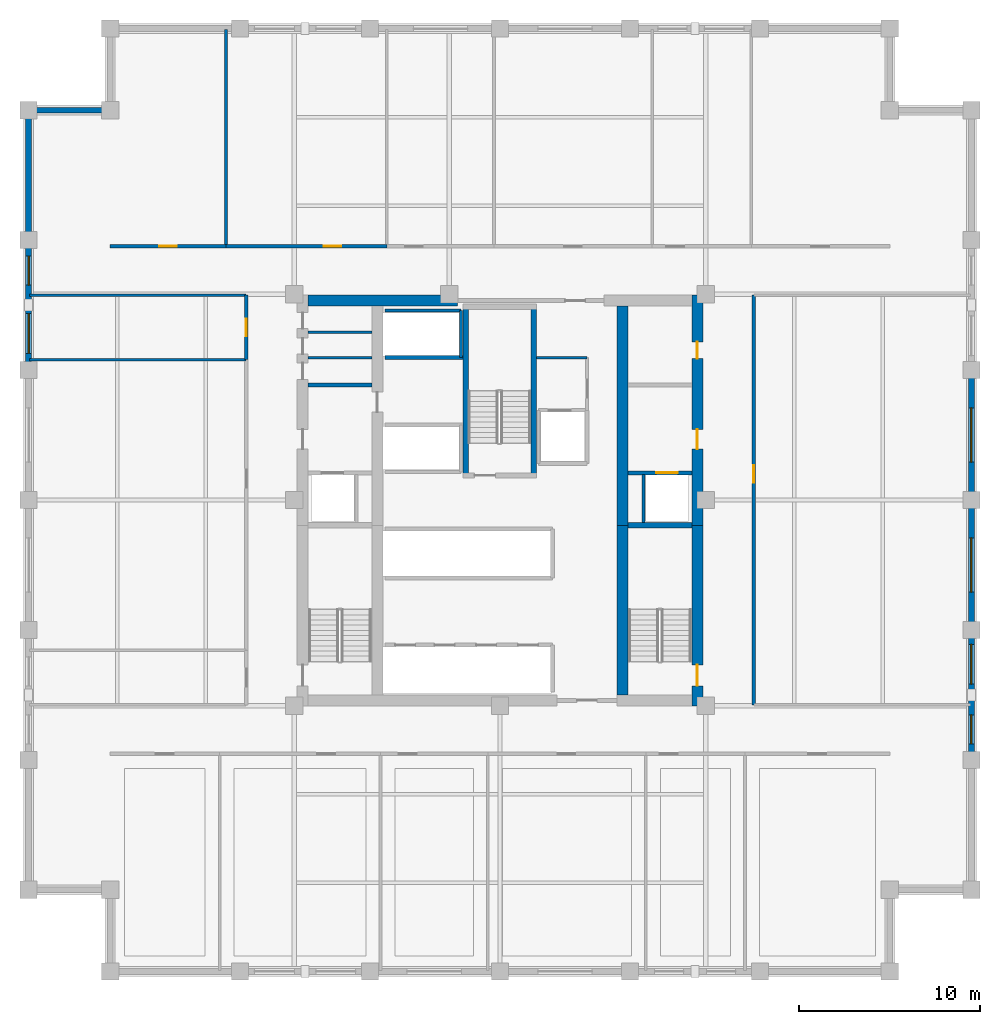
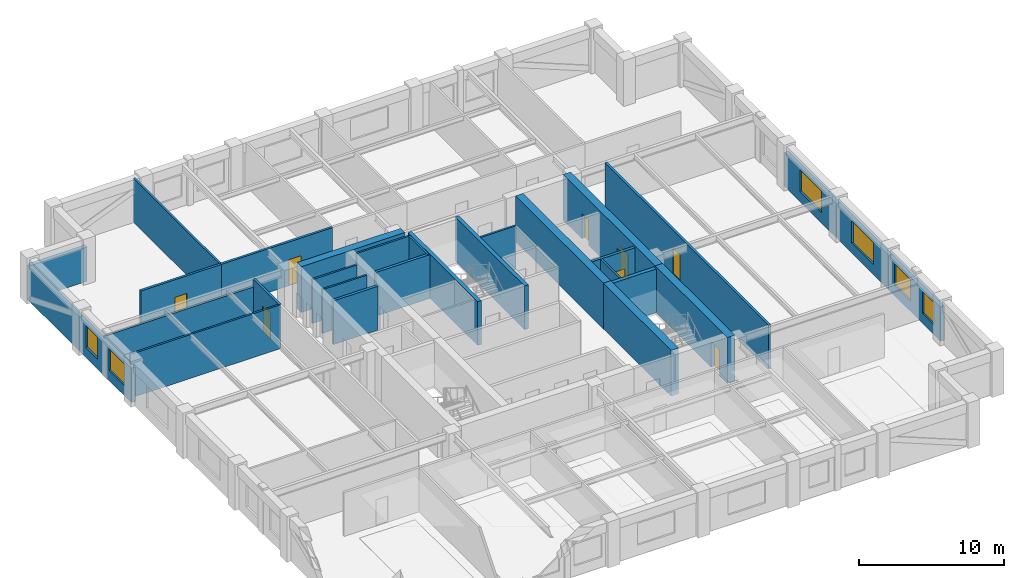
# One storey, part 4 of 9: 30 walls, 8 doors, 6 windows, 14 openings.
"""IFC4 building model written with IfcOpenShell, lengths in metres."""

from ifc_helpers import new_model, si_unit, direction, frame, frame_2d, origin, place, context, subcontext, project, spatial, rectangle, extrude, material, layer, layer_set, type_object, element, fill, save


model = new_model("IFC4")

# Units and contexts
model_context = context("Model", 3, precision=1e-05, world=origin(), true_north=direction((0.0, 1.0)))
body_context = subcontext(model_context, "Body", "Model", "MODEL_VIEW")
ifc_project = project(units=[si_unit("LENGTHUNIT", "METRE"), si_unit("AREAUNIT", "SQUARE_METRE"), si_unit("VOLUMEUNIT", "CUBIC_METRE"), si_unit("PLANEANGLEUNIT", "RADIAN"), si_unit("MASSUNIT", "GRAM", prefix="KILO")], contexts=[model_context])

# Site, building, storey
site_placement = place(None, origin())
site = spatial("IfcSite", under=ifc_project, at=site_placement, CompositionType="ELEMENT")
building_placement = place(site_placement, origin())
building = spatial("IfcBuilding", under=site, at=building_placement, Name="Nhamokura Convention Tower", CompositionType="ELEMENT")
storey_placement = place(building_placement, frame((0.0, 0.0, 122.14990234375)))
storey = spatial("IfcBuildingStorey", under=building, at=storey_placement, Name="L29", CompositionType="ELEMENT", Elevation=122.14990234375)

# Wall
ifc_material_1 = material(Name="Moisture-resistant tile-backer partition", Category="masonry")
ifc_layer_1 = layer(ifc_material_1, 0.139892578125)
ifc_layer_set_1 = layer_set([ifc_layer_1], Name="BathroomWetWall_140")
wall_type_1 = type_object("IfcWallType", Name="BathroomWetWall_140", PredefinedType="STANDARD", material=ifc_layer_set_1)
wall_1_placement = place(storey_placement, frame((21.409912109375, 39.85009765625, 0.0), z_axis=(0.0, 0.0, 1.0), x_axis=(1.0, 0.0, 0.0)))
element("IfcWall", 1, at=wall_1_placement, inside=storey, type_object=wall_type_1, Name="L29 Wall INT-L29-CWNW1", PredefinedType="STANDARD", context=body_context, shape_type="SweptSolid", body=[
    extrude(rectangle(XDim=3.530029296875, YDim=0.139892578125, at=frame_2d((1.76513671875, 0.0))), origin(), (0.0, 0.0, 1.0), 3.68505859375),
])

# Wall, openings, windows
ifc_material_2 = material(Name="Bronze-pigmented precast concrete C45/55", Category="concrete")
ifc_layer_2 = layer(ifc_material_2, 0.320068359375)
ifc_layer_set_2 = layer_set([ifc_layer_2], Name="BronzePrecastSpandrel_320")
wall_type_2 = type_object("IfcWallType", Name="BronzePrecastSpandrel_320", PredefinedType="USERDEFINED", material=ifc_layer_set_2)
wall_2_placement = place(storey_placement, frame((6.0, 39.166748046875, 0.0), z_axis=(0.0, 0.0, 1.0), x_axis=(0.0, 1.0, 0.0)))
wall_2 = element("IfcWall", 2, at=wall_2_placement, inside=storey, type_object=wall_type_2, Name="L29 Masonry-Frame Wall WEST 4", ObjectType="SPANDREL_WALL", PredefinedType="USERDEFINED", context=body_context, shape_type="SweptSolid", body=[
    extrude(rectangle(XDim=7.16650390625, YDim=0.320068359375, at=frame_2d((3.583251953125, 0.0))), origin(), (0.0, 0.0, 1.0), 2.885009765625),
])
opening_1_placement = place(wall_2_placement, frame((0.916748046875, 0.0, 0.85009765625)))
opening_1 = element("IfcOpeningElement", 3, at=opening_1_placement, cuts=wall_2, Name="Opening W-06", PredefinedType="OPENING", context=body_context, shape_type="SweptSolid", body=[
    extrude(rectangle(XDim=2.199951171875, YDim=1.8349609375, at=frame_2d((1.10009765625, 0.91748046875))), frame((0.0, 0.169921875, 0.0), z_axis=(0.0, -1.0, 0.0), x_axis=(1.0, 0.0, 0.0)), (0.0, 0.0, 1.0), 0.340087890625),
])
opening_2_placement = place(wall_2_placement, frame((4.6875, 0.0, 0.85009765625)))
opening_2 = element("IfcOpeningElement", 4, at=opening_2_placement, cuts=wall_2, Name="Opening W-11", PredefinedType="OPENING", context=body_context, shape_type="SweptSolid", body=[
    extrude(rectangle(XDim=1.60009765625, YDim=1.8349609375, at=frame_2d((0.800048828125, 0.91748046875))), frame((0.0, 0.169921875, 0.0), z_axis=(0.0, -1.0, 0.0), x_axis=(1.0, 0.0, 0.0)), (0.0, 0.0, 1.0), 0.340087890625),
])
ifc_material_3 = material(Name="Solar-control bronze low-E double glass", Category="glass")
window_type_1 = type_object("IfcWindowType", Name="NotchCornerWindow_1600", PartitioningType="SINGLE_PANEL", PredefinedType="WINDOW", material=ifc_material_3)
window_1_placement = place(opening_2_placement, origin())
window_1 = element("IfcWindow", 5, at=window_1_placement, inside=storey, type_object=window_type_1, Name="L29 Facade Window WEST 4-2", OverallHeight=1.8349609375, OverallWidth=1.60009765625, PartitioningType="SINGLE_PANEL", PredefinedType="WINDOW", context=body_context, shape_type="SweptSolid", body=[
    extrude(rectangle(XDim=1.60009765625, YDim=1.8349609375, at=frame_2d((0.800048828125, 0.91748046875))), frame((0.0, 0.030029296875, 0.0), z_axis=(0.0, -1.0, 0.0), x_axis=(1.0, 0.0, 0.0)), (0.0, 0.0, 1.0), 0.06005859375),
])
fill(opening_2, window_1)
ifc_material_4 = material(Name="Solar-control bronze low-E double glass", Category="glass")
window_type_2 = type_object("IfcWindowType", Name="OfficeModuleWindow_Z2_2200", PartitioningType="SINGLE_PANEL", PredefinedType="WINDOW", material=ifc_material_4)
window_2_placement = place(opening_1_placement, origin())
window_2 = element("IfcWindow", 6, at=window_2_placement, inside=storey, type_object=window_type_2, Name="L29 Facade Window WEST 4-1", OverallHeight=1.8349609375, OverallWidth=2.199951171875, PartitioningType="SINGLE_PANEL", PredefinedType="WINDOW", context=body_context, shape_type="SweptSolid", body=[
    extrude(rectangle(XDim=2.199951171875, YDim=1.8349609375, at=frame_2d((1.10009765625, 0.91748046875))), frame((0.0, 0.030029296875, 0.0), z_axis=(0.0, -1.0, 0.0), x_axis=(1.0, 0.0, 0.0)), (0.0, 0.0, 1.0), 0.06005859375),
])
fill(opening_1, window_2)

# Wall
wall_3_placement = place(storey_placement, frame((6.0, 46.333251953125, 0.0), z_axis=(0.0, 0.0, 1.0), x_axis=(0.0, 1.0, 0.0)))
element("IfcWall", 7, at=wall_3_placement, inside=storey, type_object=wall_type_2, Name="L29 Braced-Bay Precast Wall WEST 5", ObjectType="SPANDREL_WALL", PredefinedType="USERDEFINED", context=body_context, shape_type="SweptSolid", body=[
    extrude(rectangle(XDim=7.166748046875, YDim=0.320068359375, at=frame_2d((3.58349609375, 0.0))), origin(), (0.0, 0.0, 1.0), 2.885009765625),
])

# Wall, openings, windows
wall_4_placement = place(storey_placement, frame((58.0, 24.833251953125, 0.0), z_axis=(0.0, 0.0, 1.0), x_axis=(0.0, -1.0, 0.0)))
wall_4 = element("IfcWall", 8, at=wall_4_placement, inside=storey, type_object=wall_type_2, Name="L29 Masonry-Frame Wall EAST 1", ObjectType="SPANDREL_WALL", PredefinedType="USERDEFINED", context=body_context, shape_type="SweptSolid", body=[
    extrude(rectangle(XDim=7.16650390625, YDim=0.320068359375, at=frame_2d((3.583251953125, 0.0))), origin(), (0.0, 0.0, 1.0), 2.885009765625),
])
opening_3_placement = place(wall_4_placement, frame((0.791748046875, 0.0, 0.85009765625)))
opening_3 = element("IfcOpeningElement", 9, at=opening_3_placement, cuts=wall_4, Name="Opening W-06", PredefinedType="OPENING", context=body_context, shape_type="SweptSolid", body=[
    extrude(rectangle(XDim=2.199951171875, YDim=1.8349609375, at=frame_2d((1.10009765625, 0.91748046875))), frame((0.0, 0.169921875, 0.0), z_axis=(0.0, -1.0, 0.0), x_axis=(1.0, 0.0, 0.0)), (0.0, 0.0, 1.0), 0.340087890625),
])
opening_4_placement = place(wall_4_placement, frame((4.6875, 0.0, 0.85009765625)))
opening_4 = element("IfcOpeningElement", 10, at=opening_4_placement, cuts=wall_4, Name="Opening W-11", PredefinedType="OPENING", context=body_context, shape_type="SweptSolid", body=[
    extrude(rectangle(XDim=1.60009765625, YDim=1.8349609375, at=frame_2d((0.800048828125, 0.91748046875))), frame((0.0, 0.169921875, 0.0), z_axis=(0.0, -1.0, 0.0), x_axis=(1.0, 0.0, 0.0)), (0.0, 0.0, 1.0), 0.340087890625),
])
window_3_placement = place(opening_4_placement, origin())
window_3 = element("IfcWindow", 11, at=window_3_placement, inside=storey, type_object=window_type_1, Name="L29 Facade Window EAST 1-2", OverallHeight=1.8349609375, OverallWidth=1.60009765625, PartitioningType="SINGLE_PANEL", PredefinedType="WINDOW", context=body_context, shape_type="SweptSolid", body=[
    extrude(rectangle(XDim=1.60009765625, YDim=1.8349609375, at=frame_2d((0.800048828125, 0.91748046875))), frame((0.0, 0.030029296875, 0.0), z_axis=(0.0, -1.0, 0.0), x_axis=(1.0, 0.0, 0.0)), (0.0, 0.0, 1.0), 0.06005859375),
])
fill(opening_4, window_3)
window_4_placement = place(opening_3_placement, origin())
window_4 = element("IfcWindow", 12, at=window_4_placement, inside=storey, type_object=window_type_2, Name="L29 Facade Window EAST 1-1", OverallHeight=1.8349609375, OverallWidth=2.199951171875, PartitioningType="SINGLE_PANEL", PredefinedType="WINDOW", context=body_context, shape_type="SweptSolid", body=[
    extrude(rectangle(XDim=2.199951171875, YDim=1.8349609375, at=frame_2d((1.10009765625, 0.91748046875))), frame((0.0, 0.030029296875, 0.0), z_axis=(0.0, -1.0, 0.0), x_axis=(1.0, 0.0, 0.0)), (0.0, 0.0, 1.0), 0.06005859375),
])
fill(opening_3, window_4)

# Wall, opening, window
wall_5_placement = place(storey_placement, frame((58.0, 32.0, 0.0), z_axis=(0.0, 0.0, 1.0), x_axis=(0.0, -1.0, 0.0)))
wall_5 = element("IfcWall", 13, at=wall_5_placement, inside=storey, type_object=wall_type_2, Name="L29 Masonry-Frame Wall EAST 2", ObjectType="SPANDREL_WALL", PredefinedType="USERDEFINED", context=body_context, shape_type="SweptSolid", body=[
    extrude(rectangle(XDim=7.166748046875, YDim=0.320068359375, at=frame_2d((3.58349609375, 0.0))), origin(), (0.0, 0.0, 1.0), 2.885009765625),
])
opening_5_placement = place(wall_5_placement, frame((2.083251953125, 0.0, 0.85009765625)))
opening_5 = element("IfcOpeningElement", 14, at=opening_5_placement, cuts=wall_5, Name="Opening W-05", PredefinedType="OPENING", context=body_context, shape_type="SweptSolid", body=[
    extrude(rectangle(XDim=3.0, YDim=1.8349609375, at=frame_2d((1.5, 0.91748046875))), frame((0.0, 0.169921875, 0.0), z_axis=(0.0, -1.0, 0.0), x_axis=(1.0, 0.0, 0.0)), (0.0, 0.0, 1.0), 0.340087890625),
])
ifc_material_5 = material(Name="Solar-control bronze low-E double glass", Category="glass")
window_type_3 = type_object("IfcWindowType", Name="OfficeModuleWindow_Z2_3000", PartitioningType="DOUBLE_PANEL_VERTICAL", PredefinedType="WINDOW", material=ifc_material_5)
window_5_placement = place(opening_5_placement, origin())
window_5 = element("IfcWindow", 15, at=window_5_placement, inside=storey, type_object=window_type_3, Name="L29 Facade Window EAST 2", OverallHeight=1.8349609375, OverallWidth=3.0, PartitioningType="SINGLE_PANEL", PredefinedType="WINDOW", context=body_context, shape_type="SweptSolid", body=[
    extrude(rectangle(XDim=3.0, YDim=1.8349609375, at=frame_2d((1.5, 0.91748046875))), frame((0.0, 0.030029296875, 0.0), z_axis=(0.0, -1.0, 0.0), x_axis=(1.0, 0.0, 0.0)), (0.0, 0.0, 1.0), 0.06005859375),
])
fill(opening_5, window_5)

wall_6_placement = place(storey_placement, frame((58.0, 39.166748046875, 0.0), z_axis=(0.0, 0.0, 1.0), x_axis=(0.0, -1.0, 0.0)))
wall_6 = element("IfcWall", 16, at=wall_6_placement, inside=storey, type_object=wall_type_2, Name="L29 Masonry-Frame Wall EAST 3", ObjectType="SPANDREL_WALL", PredefinedType="USERDEFINED", context=body_context, shape_type="SweptSolid", body=[
    extrude(rectangle(XDim=7.166748046875, YDim=0.320068359375, at=frame_2d((3.58349609375, 0.0))), origin(), (0.0, 0.0, 1.0), 2.885009765625),
])
opening_6_placement = place(wall_6_placement, frame((2.083251953125, 0.0, 0.85009765625)))
opening_6 = element("IfcOpeningElement", 17, at=opening_6_placement, cuts=wall_6, Name="Opening W-05", PredefinedType="OPENING", context=body_context, shape_type="SweptSolid", body=[
    extrude(rectangle(XDim=3.0, YDim=1.8349609375, at=frame_2d((1.5, 0.91748046875))), frame((0.0, 0.169921875, 0.0), z_axis=(0.0, -1.0, 0.0), x_axis=(1.0, 0.0, 0.0)), (0.0, 0.0, 1.0), 0.340087890625),
])
window_6_placement = place(opening_6_placement, origin())
window_6 = element("IfcWindow", 18, at=window_6_placement, inside=storey, type_object=window_type_3, Name="L29 Facade Window EAST 3", OverallHeight=1.8349609375, OverallWidth=3.0, PartitioningType="SINGLE_PANEL", PredefinedType="WINDOW", context=body_context, shape_type="SweptSolid", body=[
    extrude(rectangle(XDim=3.0, YDim=1.8349609375, at=frame_2d((1.5, 0.91748046875))), frame((0.0, 0.030029296875, 0.0), z_axis=(0.0, -1.0, 0.0), x_axis=(1.0, 0.0, 0.0)), (0.0, 0.0, 1.0), 0.06005859375),
])
fill(opening_6, window_6)

# Wall
wall_7_placement = place(storey_placement, frame((6.0, 53.5, 0.0), z_axis=(0.0, 0.0, 1.0), x_axis=(1.0, 0.0, 0.0)))
element("IfcWall", 19, at=wall_7_placement, inside=storey, type_object=wall_type_2, Name="L29 Notched Corner Wall NW2", ObjectType="SPANDREL_WALL", PredefinedType="USERDEFINED", context=body_context, shape_type="SweptSolid", body=[
    extrude(rectangle(XDim=4.5, YDim=0.320068359375, at=frame_2d((2.25, 0.0))), origin(), (0.0, 0.0, 1.0), 2.885009765625),
])

# Wall, opening, door
ifc_material_6 = material(Name="Concrete C60/75", Category="concrete")
ifc_layer_3 = layer(ifc_material_6, 0.60009765625)
ifc_layer_set_3 = layer_set([ifc_layer_3], Name="CoreShearWall_600")
wall_type_3 = type_object("IfcWallType", Name="CoreShearWall_600", PredefinedType="SHEAR", material=ifc_layer_set_3)
wall_8_placement = place(storey_placement, frame((42.889892578125, 20.64990234375, 0.0), z_axis=(0.0, 0.0, 1.0), x_axis=(0.0, 1.0, 0.0)))
wall_8 = element("IfcWall", 20, at=wall_8_placement, inside=storey, type_object=wall_type_3, Name="L29 Core Shear Wall CW-ES", PredefinedType="SHEAR", context=body_context, shape_type="SweptSolid", body=[
    extrude(rectangle(XDim=9.9501953125, YDim=0.60009765625, at=frame_2d((4.97509765625, 0.0))), origin(), (0.0, 0.0, 1.0), 3.85009765625),
])
opening_7_placement = place(wall_8_placement, frame((1.10009765625, 0.0, 0.0)))
opening_7 = element("IfcOpeningElement", 21, at=opening_7_placement, cuts=wall_8, Name="Opening D-04", PredefinedType="OPENING", context=body_context, shape_type="SweptSolid", body=[
    extrude(rectangle(XDim=1.14990234375, YDim=2.14990234375, at=frame_2d((0.574951171875, 1.074951171875))), frame((0.0, 0.31005859375, 0.0), z_axis=(0.0, -1.0, 0.0), x_axis=(1.0, 0.0, 0.0)), (0.0, 0.0, 1.0), 0.6201171875),
])
ifc_material_7 = material(Name="Fire-rated steel door", Category="steel")
door_type_1 = type_object("IfcDoorType", Name="StairSmokeDoor_1150", OperationType="NOTDEFINED", PredefinedType="DOOR", material=ifc_material_7)
door_1_placement = place(opening_7_placement, origin())
door_1 = element("IfcDoor", 22, at=door_1_placement, inside=storey, type_object=door_type_1, Name="L29 Core Door INT-L29-D-ST02", OperationType="SINGLE_SWING_RIGHT", OverallHeight=2.14990234375, OverallWidth=1.14990234375, PredefinedType="DOOR", context=body_context, shape_type="SweptSolid", body=[
    extrude(rectangle(XDim=1.14990234375, YDim=2.14990234375, at=frame_2d((0.574951171875, 1.074951171875))), frame((0.0, 0.02490234375, 0.0), z_axis=(0.0, -1.0, 0.0), x_axis=(1.0, 0.0, 0.0)), (0.0, 0.0, 1.0), 0.050048828125),
])
fill(opening_7, door_1)

# Wall, openings, doors
wall_9_placement = place(storey_placement, frame((42.889892578125, 30.60009765625, 0.0), z_axis=(0.0, 0.0, 1.0), x_axis=(0.0, 1.0, 0.0)))
wall_9 = element("IfcWall", 23, at=wall_9_placement, inside=storey, type_object=wall_type_3, Name="L29 Core Shear Wall CW-EN", PredefinedType="SHEAR", context=body_context, shape_type="SweptSolid", body=[
    extrude(rectangle(XDim=12.699951171875, YDim=0.60009765625, at=frame_2d((6.35009765625, 0.0))), origin(), (0.0, 0.0, 1.0), 3.85009765625),
])
opening_8_placement = place(wall_9_placement, frame((4.199951171875, 0.0, 0.0)))
opening_8 = element("IfcOpeningElement", 24, at=opening_8_placement, cuts=wall_9, Name="Opening D-05", PredefinedType="OPENING", context=body_context, shape_type="SweptSolid", body=[
    extrude(rectangle(XDim=1.10009765625, YDim=2.14990234375, at=frame_2d((0.550048828125, 1.074951171875))), frame((0.0, 0.31005859375, 0.0), z_axis=(0.0, -1.0, 0.0), x_axis=(1.0, 0.0, 0.0)), (0.0, 0.0, 1.0), 0.6201171875),
])
opening_9_placement = place(wall_9_placement, frame((9.199951171875, 0.0, 0.0)))
opening_9 = element("IfcOpeningElement", 25, at=opening_9_placement, cuts=wall_9, Name="Opening D-10", PredefinedType="OPENING", context=body_context, shape_type="SweptSolid", body=[
    extrude(rectangle(XDim=0.919921875, YDim=2.10009765625, at=frame_2d((0.4599609375, 1.050048828125))), frame((0.0, 0.31005859375, 0.0), z_axis=(0.0, -1.0, 0.0), x_axis=(1.0, 0.0, 0.0)), (0.0, 0.0, 1.0), 0.6201171875),
])
ifc_material_8 = material(Name="Solid oak hardwood", Category="wood")
door_type_2 = type_object("IfcDoorType", Name="AccessibleWCDoor_920", OperationType="NOTDEFINED", PredefinedType="DOOR", material=ifc_material_8)
door_2_placement = place(opening_9_placement, origin())
door_2 = element("IfcDoor", 26, at=door_2_placement, inside=storey, type_object=door_type_2, Name="L29 Core Door INT-L29-D-UWC", OperationType="SINGLE_SWING_RIGHT", OverallHeight=2.10009765625, OverallWidth=0.919921875, PredefinedType="DOOR", context=body_context, shape_type="SweptSolid", body=[
    extrude(rectangle(XDim=0.919921875, YDim=2.10009765625, at=frame_2d((0.4599609375, 1.050048828125))), frame((0.0, 0.02490234375, 0.0), z_axis=(0.0, -1.0, 0.0), x_axis=(1.0, 0.0, 0.0)), (0.0, 0.0, 1.0), 0.050048828125),
])
fill(opening_9, door_2)
ifc_material_9 = material(Name="Fire-rated steel door", Category="steel")
door_type_3 = type_object("IfcDoorType", Name="FireLobbyDoor_1100", OperationType="NOTDEFINED", PredefinedType="DOOR", material=ifc_material_9)
door_3_placement = place(opening_8_placement, origin())
door_3 = element("IfcDoor", 27, at=door_3_placement, inside=storey, type_object=door_type_3, Name="L29 Core Door INT-L29-D-FFLE", OperationType="SINGLE_SWING_LEFT", OverallHeight=2.14990234375, OverallWidth=1.10009765625, PredefinedType="DOOR", context=body_context, shape_type="SweptSolid", body=[
    extrude(rectangle(XDim=1.10009765625, YDim=2.14990234375, at=frame_2d((0.550048828125, 1.074951171875))), frame((0.0, 0.02490234375, 0.0), z_axis=(0.0, -1.0, 0.0), x_axis=(1.0, 0.0, 0.0)), (0.0, 0.0, 1.0), 0.050048828125),
])
fill(opening_8, door_3)

# Walls
wall_10_placement = place(storey_placement, frame((21.409912109375, 43.0, 0.0), z_axis=(0.0, 0.0, 1.0), x_axis=(1.0, 0.0, 0.0)))
element("IfcWall", 28, at=wall_10_placement, inside=storey, type_object=wall_type_3, Name="L29 Core Shear Wall CW-N1", PredefinedType="SHEAR", context=body_context, shape_type="SweptSolid", body=[
    extrude(rectangle(XDim=8.239990234375, YDim=0.60009765625, at=frame_2d((4.1201171875, 0.0))), origin(), (0.0, 0.0, 1.0), 3.85009765625),
])
wall_11_placement = place(storey_placement, frame((38.760009765625, 21.25, 0.0), z_axis=(0.0, 0.0, 1.0), x_axis=(0.0, 1.0, 0.0)))
element("IfcWall", 29, at=wall_11_placement, inside=storey, type_object=wall_type_3, Name="L29 Core Shear Wall CW-IES", PredefinedType="SHEAR", context=body_context, shape_type="SweptSolid", body=[
    extrude(rectangle(XDim=9.35009765625, YDim=0.60009765625, at=frame_2d((4.675048828125, 0.0))), origin(), (0.0, 0.0, 1.0), 3.85009765625),
])
wall_12_placement = place(storey_placement, frame((38.760009765625, 30.60009765625, 0.0), z_axis=(0.0, 0.0, 1.0), x_axis=(0.0, 1.0, 0.0)))
element("IfcWall", 30, at=wall_12_placement, inside=storey, type_object=wall_type_3, Name="L29 Core Shear Wall CW-IEN", PredefinedType="SHEAR", context=body_context, shape_type="SweptSolid", body=[
    extrude(rectangle(XDim=12.099853515625, YDim=0.60009765625, at=frame_2d((6.0498046875, 0.0))), origin(), (0.0, 0.0, 1.0), 3.85009765625),
])

# Wall, opening, door
ifc_material_10 = material(Name="Fire-rated gypsum and masonry partition", Category="masonry")
ifc_layer_4 = layer(ifc_material_10, 0.179931640625)
ifc_layer_set_4 = layer_set([ifc_layer_4], Name="CorridorRatedWall_180")
wall_type_4 = type_object("IfcWallType", Name="CorridorRatedWall_180", PredefinedType="STANDARD", material=ifc_layer_set_4)
wall_13_placement = place(storey_placement, frame((10.5, 46.0, 0.0), z_axis=(0.0, 0.0, 1.0), x_axis=(1.0, 0.0, 0.0)))
wall_13 = element("IfcWall", 31, at=wall_13_placement, inside=storey, type_object=wall_type_4, Name="L29 Wall INT-L29-CW-N00", PredefinedType="STANDARD", context=body_context, shape_type="SweptSolid", body=[
    extrude(rectangle(XDim=6.3916015625, YDim=0.179931640625, at=frame_2d((3.19580078125, 0.0))), origin(), (0.0, 0.0, 1.0), 3.68505859375),
])
opening_10_placement = place(wall_13_placement, frame((2.69580078125, 0.0, 0.0)))
opening_10 = element("IfcOpeningElement", 32, at=opening_10_placement, cuts=wall_13, Name="Opening D-08", PredefinedType="OPENING", context=body_context, shape_type="SweptSolid", body=[
    extrude(rectangle(XDim=0.97998046875, YDim=2.199951171875, at=frame_2d((0.489990234375, 1.10009765625))), frame((0.0, 0.099853515625, 0.0), z_axis=(0.0, -1.0, 0.0), x_axis=(1.0, 0.0, 0.0)), (0.0, 0.0, 1.0), 0.199951171875),
])
ifc_material_11 = material(Name="Solid oak hardwood", Category="wood")
door_type_4 = type_object("IfcDoorType", Name="OfficeEntryDoor_980", OperationType="NOTDEFINED", PredefinedType="DOOR", material=ifc_material_11)
door_4_placement = place(opening_10_placement, origin())
door_4 = element("IfcDoor", 33, at=door_4_placement, inside=storey, type_object=door_type_4, Name="L29 Training Classroom N01 Door", OperationType="SINGLE_SWING_LEFT", OverallHeight=2.199951171875, OverallWidth=0.97998046875, PredefinedType="DOOR", context=body_context, shape_type="SweptSolid", body=[
    extrude(rectangle(XDim=0.97998046875, YDim=2.199951171875, at=frame_2d((0.489990234375, 1.10009765625))), frame((0.0, 0.02490234375, 0.0), z_axis=(0.0, -1.0, 0.0), x_axis=(1.0, 0.0, 0.0)), (0.0, 0.0, 1.0), 0.050048828125),
])
fill(opening_10, door_4)

wall_14_placement = place(storey_placement, frame((16.8916015625, 46.0, 0.0), z_axis=(0.0, 0.0, 1.0), x_axis=(1.0, 0.0, 0.0)))
wall_14 = element("IfcWall", 34, at=wall_14_placement, inside=storey, type_object=wall_type_4, Name="L29 Wall INT-L29-CW-N01", PredefinedType="STANDARD", context=body_context, shape_type="SweptSolid", body=[
    extrude(rectangle(XDim=8.86669921875, YDim=0.179931640625, at=frame_2d((4.433349609375, 0.0))), origin(), (0.0, 0.0, 1.0), 3.68505859375),
])
opening_11_placement = place(wall_14_placement, frame((5.38330078125, 0.0, 0.0)))
opening_11 = element("IfcOpeningElement", 35, at=opening_11_placement, cuts=wall_14, Name="Opening D-08", PredefinedType="OPENING", context=body_context, shape_type="SweptSolid", body=[
    extrude(rectangle(XDim=0.97998046875, YDim=2.199951171875, at=frame_2d((0.489990234375, 1.10009765625))), frame((0.0, 0.099853515625, 0.0), z_axis=(0.0, -1.0, 0.0), x_axis=(1.0, 0.0, 0.0)), (0.0, 0.0, 1.0), 0.199951171875),
])
door_5_placement = place(opening_11_placement, origin())
door_5 = element("IfcDoor", 36, at=door_5_placement, inside=storey, type_object=door_type_4, Name="L29 Law Library N02 Door", OperationType="SINGLE_SWING_RIGHT", OverallHeight=2.199951171875, OverallWidth=0.97998046875, PredefinedType="DOOR", context=body_context, shape_type="SweptSolid", body=[
    extrude(rectangle(XDim=0.97998046875, YDim=2.199951171875, at=frame_2d((0.489990234375, 1.10009765625))), frame((0.0, 0.02490234375, 0.0), z_axis=(0.0, -1.0, 0.0), x_axis=(1.0, 0.0, 0.0)), (0.0, 0.0, 1.0), 0.050048828125),
])
fill(opening_11, door_5)

wall_15_placement = place(storey_placement, frame((18.0, 39.74169921875, 0.0), z_axis=(0.0, 0.0, 1.0), x_axis=(0.0, 1.0, 0.0)))
wall_15 = element("IfcWall", 37, at=wall_15_placement, inside=storey, type_object=wall_type_4, Name="L29 Wall INT-L29-CW-W02", PredefinedType="STANDARD", context=body_context, shape_type="SweptSolid", body=[
    extrude(rectangle(XDim=3.558349609375, YDim=0.179931640625, at=frame_2d((1.779296875, 0.0))), origin(), (0.0, 0.0, 1.0), 3.68505859375),
])
opening_12_placement = place(wall_15_placement, frame((1.279052734375, 0.0, 0.0)))
opening_12 = element("IfcOpeningElement", 38, at=opening_12_placement, cuts=wall_15, Name="Opening D-08", PredefinedType="OPENING", context=body_context, shape_type="SweptSolid", body=[
    extrude(rectangle(XDim=0.97998046875, YDim=2.199951171875, at=frame_2d((0.489990234375, 1.10009765625))), frame((0.0, 0.099853515625, 0.0), z_axis=(0.0, -1.0, 0.0), x_axis=(1.0, 0.0, 0.0)), (0.0, 0.0, 1.0), 0.199951171875),
])
door_6_placement = place(opening_12_placement, origin())
door_6 = element("IfcDoor", 39, at=door_6_placement, inside=storey, type_object=door_type_4, Name="L29 Records Store W03 Door", OperationType="SINGLE_SWING_LEFT", OverallHeight=2.199951171875, OverallWidth=0.97998046875, PredefinedType="DOOR", context=body_context, shape_type="SweptSolid", body=[
    extrude(rectangle(XDim=0.97998046875, YDim=2.199951171875, at=frame_2d((0.489990234375, 1.10009765625))), frame((0.0, 0.02490234375, 0.0), z_axis=(0.0, -1.0, 0.0), x_axis=(1.0, 0.0, 0.0)), (0.0, 0.0, 1.0), 0.050048828125),
])
fill(opening_12, door_6)

wall_16_placement = place(storey_placement, frame((46.0, 20.699951171875, 0.0), z_axis=(0.0, 0.0, 1.0), x_axis=(0.0, 1.0, 0.0)))
wall_16 = element("IfcWall", 40, at=wall_16_placement, inside=storey, type_object=wall_type_4, Name="L29 Wall INT-L29-CW-E00", PredefinedType="STANDARD", context=body_context, shape_type="SweptSolid", body=[
    extrude(rectangle(XDim=22.60009765625, YDim=0.179931640625, at=frame_2d((11.300048828125, 0.0))), origin(), (0.0, 0.0, 1.0), 3.68505859375),
])
opening_13_placement = place(wall_16_placement, frame((12.25, 0.0, 0.0)))
opening_13 = element("IfcOpeningElement", 41, at=opening_13_placement, cuts=wall_16, Name="Opening D-08", PredefinedType="OPENING", context=body_context, shape_type="SweptSolid", body=[
    extrude(rectangle(XDim=0.97998046875, YDim=2.199951171875, at=frame_2d((0.489990234375, 1.10009765625))), frame((0.0, 0.099853515625, 0.0), z_axis=(0.0, -1.0, 0.0), x_axis=(1.0, 0.0, 0.0)), (0.0, 0.0, 1.0), 0.199951171875),
])
door_7_placement = place(opening_13_placement, origin())
door_7 = element("IfcDoor", 42, at=door_7_placement, inside=storey, type_object=door_type_4, Name="L29 Open Plan Office E01 Door", OperationType="SINGLE_SWING_LEFT", OverallHeight=2.199951171875, OverallWidth=0.97998046875, PredefinedType="DOOR", context=body_context, shape_type="SweptSolid", body=[
    extrude(rectangle(XDim=0.97998046875, YDim=2.199951171875, at=frame_2d((0.489990234375, 1.10009765625))), frame((0.0, 0.02490234375, 0.0), z_axis=(0.0, -1.0, 0.0), x_axis=(1.0, 0.0, 0.0)), (0.0, 0.0, 1.0), 0.050048828125),
])
fill(opening_13, door_7)

ifc_material_12 = material(Name="Autoclaved concrete blockwork", Category="masonry")
ifc_layer_5 = layer(ifc_material_12, 0.219970703125)
ifc_layer_set_5 = layer_set([ifc_layer_5], Name="FireLobbyWall_220")
wall_type_5 = type_object("IfcWallType", Name="FireLobbyWall_220", PredefinedType="STANDARD", material=ifc_layer_set_5)
wall_17_placement = place(storey_placement, frame((39.06005859375, 33.5, 0.0), z_axis=(0.0, 0.0, 1.0), x_axis=(1.0, 0.0, 0.0)))
wall_17 = element("IfcWall", 43, at=wall_17_placement, inside=storey, type_object=wall_type_5, Name="L29 Wall INT-L29-FFE-S", PredefinedType="STANDARD", context=body_context, shape_type="SweptSolid", body=[
    extrude(rectangle(XDim=3.530029296875, YDim=0.219970703125, at=frame_2d((1.76513671875, 0.0))), origin(), (0.0, 0.0, 1.0), 3.68505859375),
])
opening_14_placement = place(wall_17_placement, frame((1.550048828125, 0.0, 0.0)))
opening_14 = element("IfcOpeningElement", 44, at=opening_14_placement, cuts=wall_17, Name="Opening LD-02", PredefinedType="OPENING", context=body_context, shape_type="SweptSolid", body=[
    extrude(rectangle(XDim=1.199951171875, YDim=2.199951171875, at=frame_2d((0.60009765625, 1.10009765625))), frame((0.0, 0.119873046875, 0.0), z_axis=(0.0, -1.0, 0.0), x_axis=(1.0, 0.0, 0.0)), (0.0, 0.0, 1.0), 0.239990234375),
])
ifc_material_13 = material(Name="Anodised bronze stainless steel", Category="steel")
door_type_5 = type_object("IfcDoorType", Name="LiftLandingDoor_FireService", OperationType="DOUBLE_DOOR_SLIDING", PredefinedType="DOOR", material=ifc_material_13)
door_8_placement = place(opening_14_placement, origin())
door_8 = element("IfcDoor", 45, at=door_8_placement, inside=storey, type_object=door_type_5, Name="L29 Firefighting Lift LF-02 Door", OperationType="DOUBLE_DOOR_SLIDING", OverallHeight=2.199951171875, OverallWidth=1.199951171875, PredefinedType="DOOR", context=body_context, shape_type="SweptSolid", body=[
    extrude(rectangle(XDim=1.199951171875, YDim=2.199951171875, at=frame_2d((0.60009765625, 1.10009765625))), frame((0.0, 0.02490234375, 0.0), z_axis=(0.0, -1.0, 0.0), x_axis=(1.0, 0.0, 0.0)), (0.0, 0.0, 1.0), 0.050048828125),
])
fill(opening_14, door_8)

# Walls
wall_18_placement = place(storey_placement, frame((21.409912109375, 38.35009765625, 0.0), z_axis=(0.0, 0.0, 1.0), x_axis=(1.0, 0.0, 0.0)))
element("IfcWall", 46, at=wall_18_placement, inside=storey, type_object=wall_type_5, Name="L29 Wall INT-L29-FFW-N", PredefinedType="STANDARD", context=body_context, shape_type="SweptSolid", body=[
    extrude(rectangle(XDim=3.530029296875, YDim=0.219970703125, at=frame_2d((1.76513671875, 0.0))), origin(), (0.0, 0.0, 1.0), 3.68505859375),
])
wall_19_placement = place(storey_placement, frame((25.64990234375, 39.85009765625, 0.0), z_axis=(0.0, 0.0, 1.0), x_axis=(1.0, 0.0, 0.0)))
element("IfcWall", 47, at=wall_19_placement, inside=storey, type_object=wall_type_5, Name="L29 Wall INT-L29-B3N", PredefinedType="STANDARD", context=body_context, shape_type="SweptSolid", body=[
    extrude(rectangle(XDim=4.300048828125, YDim=0.219970703125, at=frame_2d((2.14990234375, 0.0))), origin(), (0.0, 0.0, 1.0), 3.68505859375),
])
ifc_material_14 = material(Name="Acoustic gypsum stud partition", Category="masonry")
ifc_layer_6 = layer(ifc_material_14, 0.14990234375)
ifc_layer_set_6 = layer_set([ifc_layer_6], Name="InteriorPartition_150")
wall_type_6 = type_object("IfcWallType", Name="InteriorPartition_150", PredefinedType="STANDARD", material=ifc_layer_set_6)
wall_20_placement = place(storey_placement, frame((39.919921875, 30.75, 0.0), z_axis=(0.0, 0.0, 1.0), x_axis=(0.0, 1.0, 0.0)))
element("IfcWall", 48, at=wall_20_placement, inside=storey, type_object=wall_type_6, Name="L29 Wall INT-L29-FF2-W", PredefinedType="STANDARD", context=body_context, shape_type="SweptSolid", body=[
    extrude(rectangle(XDim=2.64990234375, YDim=0.14990234375, at=frame_2d((1.324951171875, 0.0))), origin(), (0.0, 0.0, 1.0), 3.68505859375),
])
wall_21_placement = place(storey_placement, frame((21.409912109375, 41.25, 0.0), z_axis=(0.0, 0.0, 1.0), x_axis=(1.0, 0.0, 0.0)))
element("IfcWall", 49, at=wall_21_placement, inside=storey, type_object=wall_type_6, Name="L29 Wall INT-L29-CWNW2", PredefinedType="STANDARD", context=body_context, shape_type="SweptSolid", body=[
    extrude(rectangle(XDim=3.530029296875, YDim=0.14990234375, at=frame_2d((1.76513671875, 0.0))), origin(), (0.0, 0.0, 1.0), 3.68505859375),
])
wall_22_placement = place(storey_placement, frame((34.0, 39.85009765625, 0.0), z_axis=(0.0, 0.0, 1.0), x_axis=(1.0, 0.0, 0.0)))
element("IfcWall", 50, at=wall_22_placement, inside=storey, type_object=wall_type_6, Name="L29 Wall INT-L29-NE-TELN", PredefinedType="STANDARD", context=body_context, shape_type="SweptSolid", body=[
    extrude(rectangle(XDim=2.800048828125, YDim=0.14990234375, at=frame_2d((1.39990234375, 0.0))), origin(), (0.0, 0.0, 1.0), 3.68505859375),
])
wall_23_placement = place(storey_placement, frame((25.64990234375, 42.449951171875, 0.0), z_axis=(0.0, 0.0, 1.0), x_axis=(1.0, 0.0, 0.0)))
element("IfcWall", 51, at=wall_23_placement, inside=storey, type_object=wall_type_6, Name="L29 Wall INT-L29-B3B-N", PredefinedType="STANDARD", context=body_context, shape_type="SweptSolid", body=[
    extrude(rectangle(XDim=4.2001953125, YDim=0.14990234375, at=frame_2d((2.10009765625, 0.0))), origin(), (0.0, 0.0, 1.0), 3.68505859375),
])
wall_24_placement = place(storey_placement, frame((29.85009765625, 39.85009765625, 0.0), z_axis=(0.0, 0.0, 1.0), x_axis=(0.0, 1.0, 0.0)))
element("IfcWall", 52, at=wall_24_placement, inside=storey, type_object=wall_type_6, Name="L29 Wall INT-L29-B3B-E", PredefinedType="STANDARD", context=body_context, shape_type="SweptSolid", body=[
    extrude(rectangle(XDim=2.599853515625, YDim=0.14990234375, at=frame_2d((1.2998046875, 0.0))), origin(), (0.0, 0.0, 1.0), 3.68505859375),
])
wall_25_placement = place(storey_placement, frame((16.8916015625, 46.0, 0.0), z_axis=(0.0, 0.0, 1.0), x_axis=(0.0, 1.0, 0.0)))
element("IfcWall", 53, at=wall_25_placement, inside=storey, type_object=wall_type_6, Name="L29 Wall INT-L29-RW-N01", PredefinedType="STANDARD", context=body_context, shape_type="SweptSolid", body=[
    extrude(rectangle(XDim=11.93994140625, YDim=0.14990234375, at=frame_2d((5.969970703125, 0.0))), origin(), (0.0, 0.0, 1.0), 3.68505859375),
])
wall_26_placement = place(storey_placement, frame((6.06005859375, 43.300048828125, 0.0), z_axis=(0.0, 0.0, 1.0), x_axis=(1.0, 0.0, 0.0)))
element("IfcWall", 54, at=wall_26_placement, inside=storey, type_object=wall_type_6, Name="L29 Wall INT-L29-RWT-W", PredefinedType="STANDARD", context=body_context, shape_type="SweptSolid", body=[
    extrude(rectangle(XDim=11.93994140625, YDim=0.14990234375, at=frame_2d((5.969970703125, 0.0))), origin(), (0.0, 0.0, 1.0), 3.065185546875),
])
wall_27_placement = place(storey_placement, frame((6.06005859375, 39.74169921875, 0.0), z_axis=(0.0, 0.0, 1.0), x_axis=(1.0, 0.0, 0.0)))
element("IfcWall", 55, at=wall_27_placement, inside=storey, type_object=wall_type_6, Name="L29 Wall INT-L29-RW-W02", PredefinedType="STANDARD", context=body_context, shape_type="SweptSolid", body=[
    extrude(rectangle(XDim=11.93994140625, YDim=0.14990234375, at=frame_2d((5.969970703125, 0.0))), origin(), (0.0, 0.0, 1.0), 3.68505859375),
])
ifc_material_15 = material(Name="Concrete C50/60", Category="concrete")
ifc_layer_7 = layer(ifc_material_15, 0.300048828125)
ifc_layer_set_7 = layer_set([ifc_layer_7], Name="ShaftEnclosureWall_300")
wall_type_7 = type_object("IfcWallType", Name="ShaftEnclosureWall_300", PredefinedType="SHEAR", material=ifc_layer_set_7)
wall_28_placement = place(storey_placement, frame((39.06005859375, 30.60009765625, 0.0), z_axis=(0.0, 0.0, 1.0), x_axis=(1.0, 0.0, 0.0)))
element("IfcWall", 56, at=wall_28_placement, inside=storey, type_object=wall_type_7, Name="L29 Wall INT-L29-ST02-N", PredefinedType="SHEAR", context=body_context, shape_type="SweptSolid", body=[
    extrude(rectangle(XDim=3.530029296875, YDim=0.300048828125, at=frame_2d((1.76513671875, 0.0))), origin(), (0.0, 0.0, 1.0), 3.68505859375),
])
for number, where, z_axis, x_axis, name in (
    (57, (30.10009765625, 33.199951171875, 0.0), (0.0, 0.0, 1.0), (0.0, 1.0, 0.0), "L29 Wall INT-L29-ST03W"),
    (58, (33.85009765625, 33.199951171875, 0.0), (0.0, 0.0, 1.0), (0.0, 1.0, 0.0), "L29 Wall INT-L29-ST03E"),
):
    element("IfcWall", number, at=place(storey_placement, frame(where, z_axis=z_axis, x_axis=x_axis)), inside=storey, type_object=wall_type_7, Name=name, PredefinedType="SHEAR", context=body_context, shape_type="SweptSolid", body=[
        extrude(rectangle(XDim=9.60009765625, YDim=0.300048828125, at=frame_2d((4.800048828125, 0.0))), origin(), (0.0, 0.0, 1.0), 3.68505859375),
    ])

save(model, "model.ifc")
